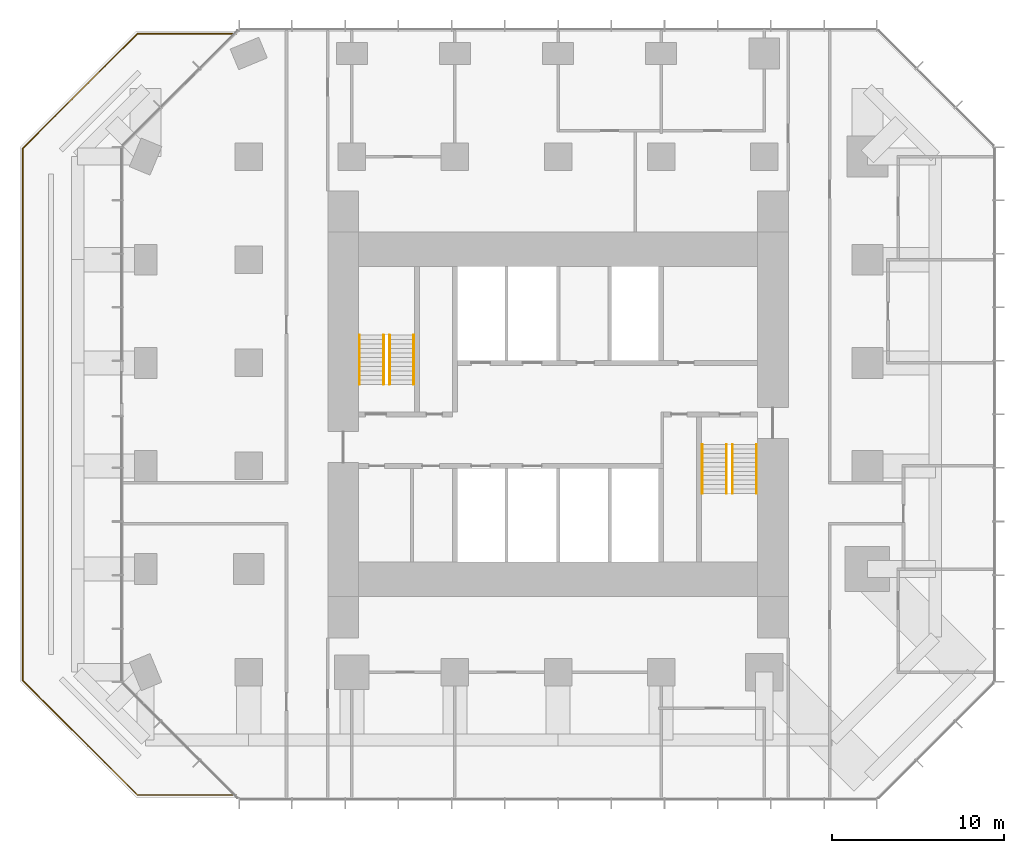
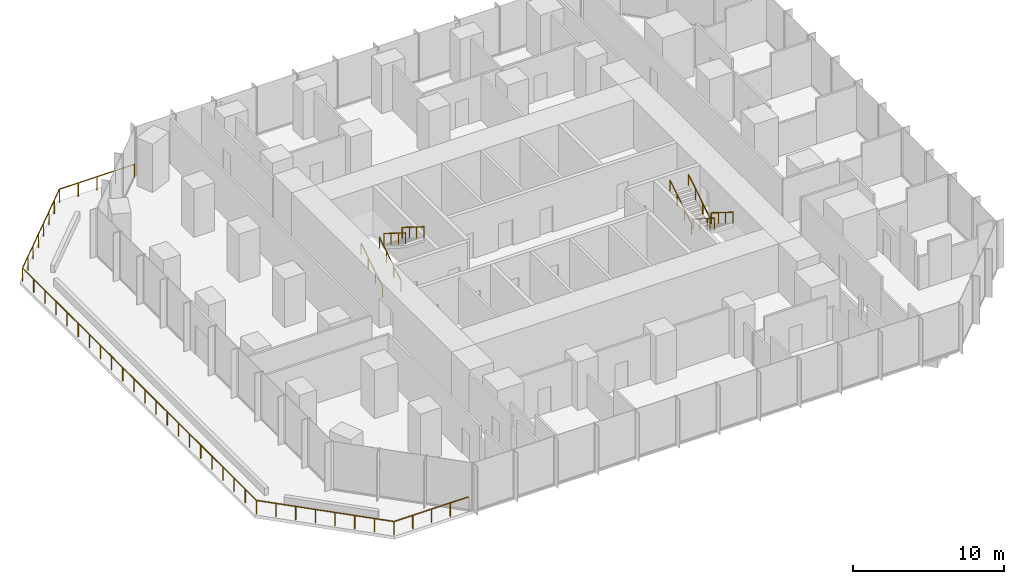
# One storey, part 11 of 11: 9 railings.
"""IFC4 building model written with IfcOpenShell, lengths in metres."""

from ifc_helpers import new_model, si_unit, direction, frame, origin, origin_2d, place, context, subcontext, project, spatial, circle, extrude, material, type_object, element, save


model = new_model("IFC4")

# Units and contexts
model_context = context("Model", 3, precision=1e-05, world=origin(), true_north=direction((0.0, 1.0)))
body_context = subcontext(model_context, "Body", "Model", "MODEL_VIEW")
ifc_project = project(units=[si_unit("LENGTHUNIT", "METRE"), si_unit("AREAUNIT", "SQUARE_METRE"), si_unit("VOLUMEUNIT", "CUBIC_METRE"), si_unit("PLANEANGLEUNIT", "RADIAN"), si_unit("MASSUNIT", "GRAM", prefix="KILO")], contexts=[model_context])

# Site, building, storey
site_placement = place(None, origin())
site = spatial("IfcSite", under=ifc_project, at=site_placement, CompositionType="ELEMENT")
building_placement = place(site_placement, origin())
building = spatial("IfcBuilding", under=site, at=building_placement, Name="Highveld Stack Headquarters", CompositionType="ELEMENT")
storey_placement = place(building_placement, frame((0.0, 0.0, 140.60009765625)))
storey = spatial("IfcBuildingStorey", under=building, at=storey_placement, Name="L34", CompositionType="ELEMENT", Elevation=140.60009765625)

# Railings
ifc_material_1 = material(Name="Stainless steel handrail", Category="steel")
railing_type_1 = type_object("IfcRailingType", Name="STAIR HANDRAIL HR1 900", PredefinedType="HANDRAIL", material=ifc_material_1)
for number, where, name in (
    (1, (-5.550048828125, 4.75, 0.162353515625), "Handrail S1 L34 flight 1"),
    (2, (-4.14990234375, 4.75, 0.162353515625), "Handrail S1 L34 flight 1"),
):
    element("IfcRailing", number, at=place(storey_placement, frame(where)), inside=storey, type_object=railing_type_1, Name=name, PredefinedType="HANDRAIL", context=body_context, shape_type="SweptSolid", body=[
        extrude(circle(Radius=0.02392578125, at=origin_2d()), frame((0.0, 0.0, 0.8759765625), z_axis=(0.0, 0.847994237388, 0.530005446535), x_axis=(-1.0, 0.0, 0.0)), (0.0, 0.0, 1.0), 3.372802734375),
        extrude(circle(Radius=0.02099609375, at=origin_2d()), origin(), (0.0, 0.0, 1.0), 0.851806640625),
        extrude(circle(Radius=0.02099609375, at=origin_2d()), frame((0.0, 0.953369140625, 0.595947265625)), (0.0, 0.0, 1.0), 0.851806640625),
        extrude(circle(Radius=0.02099609375, at=origin_2d()), frame((0.0, 1.90673828125, 1.191650390625)), (0.0, 0.0, 1.0), 0.851806640625),
        extrude(circle(Radius=0.02099609375, at=origin_2d()), frame((0.0, 2.860107421875, 1.78759765625)), (0.0, 0.0, 1.0), 0.851806640625),
    ])
for number, where, name in (
    (3, (-3.800048828125, 7.610107421875, 2.1123046875), "Handrail S1 L34 flight 2"),
    (4, (-2.39990234375, 7.610107421875, 2.1123046875), "Handrail S1 L34 flight 2"),
    (5, (16.14990234375, 1.25, 0.162353515625), "Handrail S2 L34 flight 1"),
    (6, (17.550048828125, 1.25, 0.162353515625), "Handrail S2 L34 flight 1"),
):
    element("IfcRailing", number, at=place(storey_placement, frame(where)), inside=storey, type_object=railing_type_1, Name=name, PredefinedType="HANDRAIL", context=body_context, shape_type="SweptSolid", body=[
        extrude(circle(Radius=0.02392578125, at=origin_2d()), frame((0.0, 0.0, 0.8759765625), z_axis=(0.0, -0.847994237388, 0.530005446535), x_axis=(1.0, 0.0, 0.0)), (0.0, 0.0, 1.0), 3.372802734375),
        extrude(circle(Radius=0.02099609375, at=origin_2d()), origin(), (0.0, 0.0, 1.0), 0.851806640625),
        extrude(circle(Radius=0.02099609375, at=origin_2d()), frame((0.0, -0.953369140625, 0.595947265625)), (0.0, 0.0, 1.0), 0.851806640625),
        extrude(circle(Radius=0.02099609375, at=origin_2d()), frame((0.0, -1.90673828125, 1.191650390625)), (0.0, 0.0, 1.0), 0.851806640625),
        extrude(circle(Radius=0.02099609375, at=origin_2d()), frame((0.0, -2.860107421875, 1.78759765625)), (0.0, 0.0, 1.0), 0.851806640625),
    ])
for number, where, name in (
    (7, (14.39990234375, -1.610107421875, 2.1123046875), "Handrail S2 L34 flight 2"),
    (8, (15.800048828125, -1.610107421875, 2.1123046875), "Handrail S2 L34 flight 2"),
):
    element("IfcRailing", number, at=place(storey_placement, frame(where)), inside=storey, type_object=railing_type_1, Name=name, PredefinedType="HANDRAIL", context=body_context, shape_type="SweptSolid", body=[
        extrude(circle(Radius=0.02392578125, at=origin_2d()), frame((0.0, 0.0, 0.8759765625), z_axis=(0.0, 0.847994237388, 0.530005446535), x_axis=(-1.0, 0.0, 0.0)), (0.0, 0.0, 1.0), 3.372802734375),
        extrude(circle(Radius=0.02099609375, at=origin_2d()), origin(), (0.0, 0.0, 1.0), 0.851806640625),
        extrude(circle(Radius=0.02099609375, at=origin_2d()), frame((0.0, 0.953369140625, 0.595947265625)), (0.0, 0.0, 1.0), 0.851806640625),
        extrude(circle(Radius=0.02099609375, at=origin_2d()), frame((0.0, 1.90673828125, 1.191650390625)), (0.0, 0.0, 1.0), 0.851806640625),
        extrude(circle(Radius=0.02099609375, at=origin_2d()), frame((0.0, 2.860107421875, 1.78759765625)), (0.0, 0.0, 1.0), 0.851806640625),
    ])
ifc_material_2 = material(Name="Laminated glass balustrade with bronze handrail", Category="glass")
railing_type_2 = type_object("IfcRailingType", Name="TERRACE GUARD GR1 1100 GLASS", PredefinedType="GUARDRAIL", material=ifc_material_2)
railing_placement = place(storey_placement, frame((-12.75048828125, -19.14990234375, 0.0)))
element("IfcRailing", 9, at=railing_placement, inside=storey, type_object=railing_type_2, Name="Terrace guard L34 1", PredefinedType="GUARDRAIL", context=body_context, shape_type="SweptSolid", body=[
    extrude(circle(Radius=0.02392578125, at=origin_2d()), frame((0.0, 0.0, 1.076171875), z_axis=(-1.0, 0.0, 0.0), x_axis=(0.0, -1.0, 0.0)), (0.0, 0.0, 1.0), 5.725830078125),
    extrude(circle(Radius=0.02392578125, at=origin_2d()), frame((-5.725830078125, 0.0, 1.076171875), z_axis=(-0.707106781187, 0.707106781187, 0.0), x_axis=(-0.707106781187, -0.707106781187, 0.0)), (0.0, 0.0, 1.0), 9.43798828125),
    extrude(circle(Radius=0.02392578125, at=origin_2d()), frame((-12.3994140625, 6.673583984375, 1.076171875), z_axis=(0.0, 1.0, 0.0), x_axis=(-1.0, 0.0, 0.0)), (0.0, 0.0, 1.0), 30.95263671875),
    extrude(circle(Radius=0.02392578125, at=origin_2d()), frame((-12.3994140625, 37.626220703125, 1.076171875), z_axis=(0.707106781187, 0.707106781187, 0.0), x_axis=(-0.707106781187, 0.707106781187, 0.0)), (0.0, 0.0, 1.0), 9.43798828125),
    extrude(circle(Radius=0.02392578125, at=origin_2d()), frame((-5.725830078125, 44.2998046875, 1.076171875), z_axis=(1.0, 0.0, 0.0), x_axis=(0.0, 1.0, 0.0)), (0.0, 0.0, 1.0), 5.725830078125),
    extrude(circle(Radius=0.02099609375, at=origin_2d()), origin(), (0.0, 0.0, 1.0), 1.052001953125),
    extrude(circle(Radius=0.02099609375, at=origin_2d()), frame((-1.431396484375, 0.0, 0.0)), (0.0, 0.0, 1.0), 1.052001953125),
    extrude(circle(Radius=0.02099609375, at=origin_2d()), frame((-2.86279296875, 0.0, 0.0)), (0.0, 0.0, 1.0), 1.052001953125),
    extrude(circle(Radius=0.02099609375, at=origin_2d()), frame((-4.29443359375, 0.0, 0.0)), (0.0, 0.0, 1.0), 1.052001953125),
    extrude(circle(Radius=0.02099609375, at=origin_2d()), frame((-5.725830078125, 0.0, 0.0)), (0.0, 0.0, 1.0), 1.052001953125),
    extrude(circle(Radius=0.02099609375, at=origin_2d()), frame((-6.67919921875, 0.953369140625, 0.0)), (0.0, 0.0, 1.0), 1.052001953125),
    extrude(circle(Radius=0.02099609375, at=origin_2d()), frame((-7.632568359375, 1.90673828125, 0.0)), (0.0, 0.0, 1.0), 1.052001953125),
    extrude(circle(Radius=0.02099609375, at=origin_2d()), frame((-8.5859375, 2.860107421875, 0.0)), (0.0, 0.0, 1.0), 1.052001953125),
    extrude(circle(Radius=0.02099609375, at=origin_2d()), frame((-9.539306640625, 3.8134765625, 0.0)), (0.0, 0.0, 1.0), 1.052001953125),
    extrude(circle(Radius=0.02099609375, at=origin_2d()), frame((-10.49267578125, 4.766845703125, 0.0)), (0.0, 0.0, 1.0), 1.052001953125),
    extrude(circle(Radius=0.02099609375, at=origin_2d()), frame((-11.446044921875, 5.72021484375, 0.0)), (0.0, 0.0, 1.0), 1.052001953125),
    extrude(circle(Radius=0.02099609375, at=origin_2d()), frame((-12.3994140625, 6.673583984375, 0.0)), (0.0, 0.0, 1.0), 1.052001953125),
    extrude(circle(Radius=0.02099609375, at=origin_2d()), frame((-12.3994140625, 8.1474609375, 0.0)), (0.0, 0.0, 1.0), 1.052001953125),
    extrude(circle(Radius=0.02099609375, at=origin_2d()), frame((-12.3994140625, 9.621337890625, 0.0)), (0.0, 0.0, 1.0), 1.052001953125),
    extrude(circle(Radius=0.02099609375, at=origin_2d()), frame((-12.3994140625, 11.095458984375, 0.0)), (0.0, 0.0, 1.0), 1.052001953125),
    extrude(circle(Radius=0.02099609375, at=origin_2d()), frame((-12.3994140625, 12.5693359375, 0.0)), (0.0, 0.0, 1.0), 1.052001953125),
    extrude(circle(Radius=0.02099609375, at=origin_2d()), frame((-12.3994140625, 14.043212890625, 0.0)), (0.0, 0.0, 1.0), 1.052001953125),
    extrude(circle(Radius=0.02099609375, at=origin_2d()), frame((-12.3994140625, 15.51708984375, 0.0)), (0.0, 0.0, 1.0), 1.052001953125),
    extrude(circle(Radius=0.02099609375, at=origin_2d()), frame((-12.3994140625, 16.9912109375, 0.0)), (0.0, 0.0, 1.0), 1.052001953125),
    extrude(circle(Radius=0.02099609375, at=origin_2d()), frame((-12.3994140625, 18.465087890625, 0.0)), (0.0, 0.0, 1.0), 1.052001953125),
    extrude(circle(Radius=0.02099609375, at=origin_2d()), frame((-12.3994140625, 19.93896484375, 0.0)), (0.0, 0.0, 1.0), 1.052001953125),
    extrude(circle(Radius=0.02099609375, at=origin_2d()), frame((-12.3994140625, 21.412841796875, 0.0)), (0.0, 0.0, 1.0), 1.052001953125),
    extrude(circle(Radius=0.02099609375, at=origin_2d()), frame((-12.3994140625, 22.886962890625, 0.0)), (0.0, 0.0, 1.0), 1.052001953125),
    extrude(circle(Radius=0.02099609375, at=origin_2d()), frame((-12.3994140625, 24.36083984375, 0.0)), (0.0, 0.0, 1.0), 1.052001953125),
    extrude(circle(Radius=0.02099609375, at=origin_2d()), frame((-12.3994140625, 25.834716796875, 0.0)), (0.0, 0.0, 1.0), 1.052001953125),
    extrude(circle(Radius=0.02099609375, at=origin_2d()), frame((-12.3994140625, 27.30859375, 0.0)), (0.0, 0.0, 1.0), 1.052001953125),
    extrude(circle(Radius=0.02099609375, at=origin_2d()), frame((-12.3994140625, 28.78271484375, 0.0)), (0.0, 0.0, 1.0), 1.052001953125),
    extrude(circle(Radius=0.02099609375, at=origin_2d()), frame((-12.3994140625, 30.256591796875, 0.0)), (0.0, 0.0, 1.0), 1.052001953125),
    extrude(circle(Radius=0.02099609375, at=origin_2d()), frame((-12.3994140625, 31.73046875, 0.0)), (0.0, 0.0, 1.0), 1.052001953125),
    extrude(circle(Radius=0.02099609375, at=origin_2d()), frame((-12.3994140625, 33.204345703125, 0.0)), (0.0, 0.0, 1.0), 1.052001953125),
    extrude(circle(Radius=0.02099609375, at=origin_2d()), frame((-12.3994140625, 34.678466796875, 0.0)), (0.0, 0.0, 1.0), 1.052001953125),
    extrude(circle(Radius=0.02099609375, at=origin_2d()), frame((-12.3994140625, 36.15234375, 0.0)), (0.0, 0.0, 1.0), 1.052001953125),
    extrude(circle(Radius=0.02099609375, at=origin_2d()), frame((-12.3994140625, 37.626220703125, 0.0)), (0.0, 0.0, 1.0), 1.052001953125),
    extrude(circle(Radius=0.02099609375, at=origin_2d()), frame((-11.446044921875, 38.57958984375, 0.0)), (0.0, 0.0, 1.0), 1.052001953125),
    extrude(circle(Radius=0.02099609375, at=origin_2d()), frame((-10.49267578125, 39.532958984375, 0.0)), (0.0, 0.0, 1.0), 1.052001953125),
    extrude(circle(Radius=0.02099609375, at=origin_2d()), frame((-9.539306640625, 40.486328125, 0.0)), (0.0, 0.0, 1.0), 1.052001953125),
    extrude(circle(Radius=0.02099609375, at=origin_2d()), frame((-8.5859375, 41.439697265625, 0.0)), (0.0, 0.0, 1.0), 1.052001953125),
    extrude(circle(Radius=0.02099609375, at=origin_2d()), frame((-7.632568359375, 42.39306640625, 0.0)), (0.0, 0.0, 1.0), 1.052001953125),
    extrude(circle(Radius=0.02099609375, at=origin_2d()), frame((-6.67919921875, 43.346435546875, 0.0)), (0.0, 0.0, 1.0), 1.052001953125),
    extrude(circle(Radius=0.02099609375, at=origin_2d()), frame((-5.725830078125, 44.2998046875, 0.0)), (0.0, 0.0, 1.0), 1.052001953125),
    extrude(circle(Radius=0.02099609375, at=origin_2d()), frame((-4.29443359375, 44.2998046875, 0.0)), (0.0, 0.0, 1.0), 1.052001953125),
    extrude(circle(Radius=0.02099609375, at=origin_2d()), frame((-2.86279296875, 44.2998046875, 0.0)), (0.0, 0.0, 1.0), 1.052001953125),
    extrude(circle(Radius=0.02099609375, at=origin_2d()), frame((-1.431396484375, 44.2998046875, 0.0)), (0.0, 0.0, 1.0), 1.052001953125),
    extrude(circle(Radius=0.02099609375, at=origin_2d()), frame((0.0, 44.2998046875, 0.0)), (0.0, 0.0, 1.0), 1.052001953125),
])

save(model, "model.ifc")
